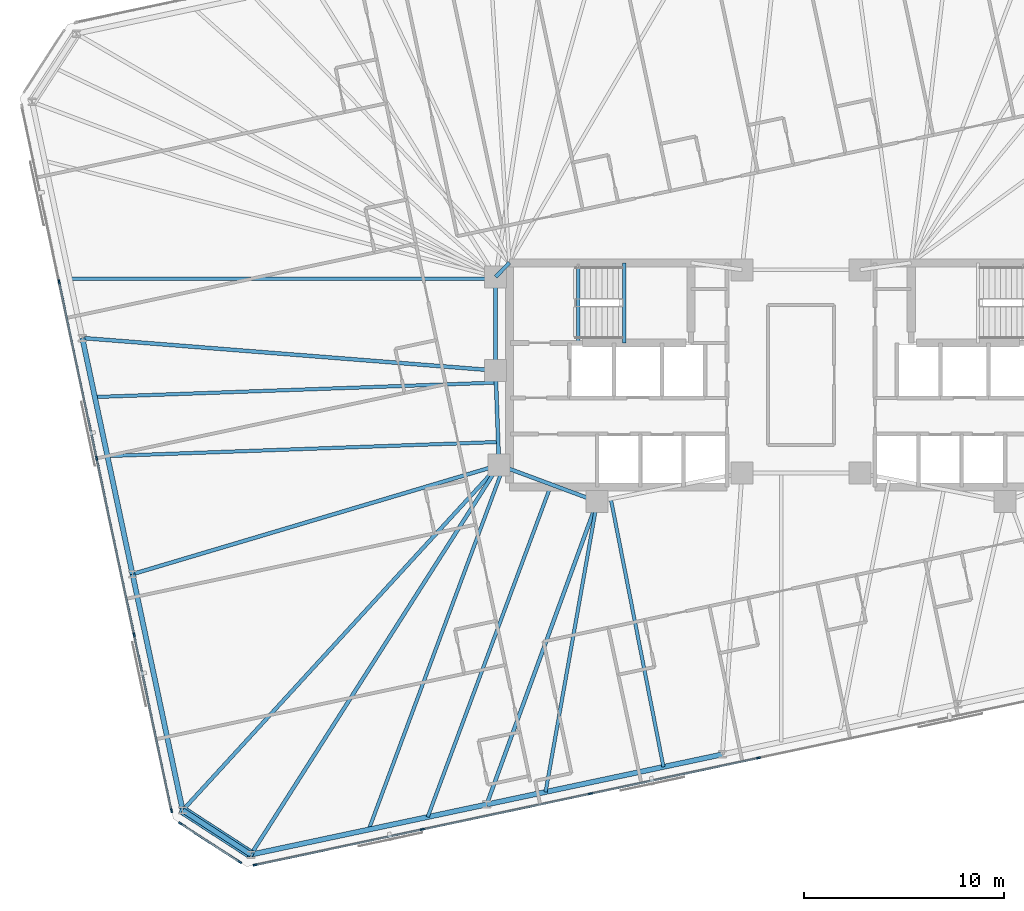
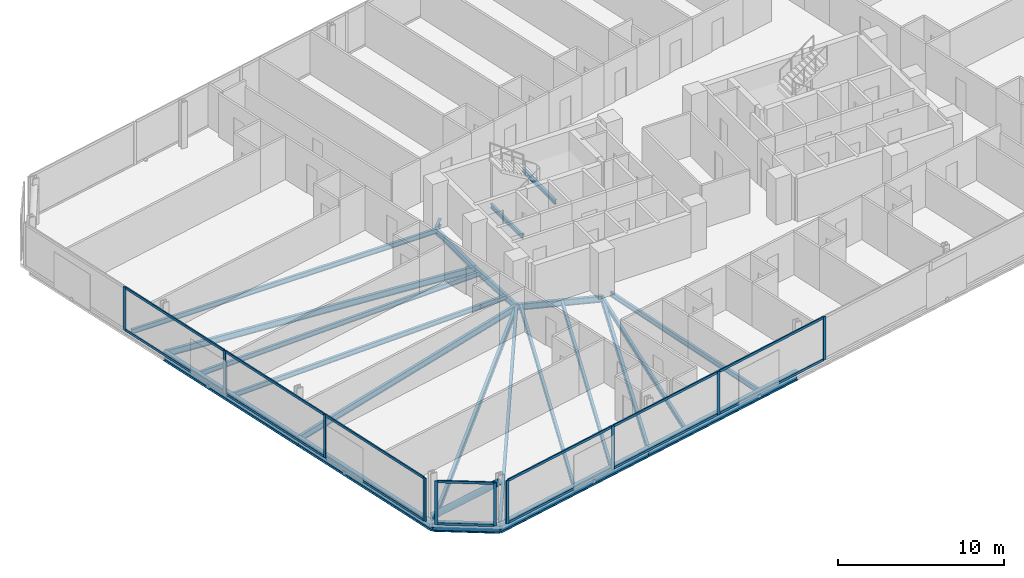
# One storey, part 6 of 20: 25 members, 23 beams, 3 elements without a shape of their own.
"""IFC4 building model written with IfcOpenShell, lengths in metres."""

from ifc_helpers import new_model, si_unit, direction, frame, origin, origin_2d, place, context, subcontext, project, spatial, rectangle, hollow_circle, i_section, extrude, material, material_profile, profile_set, type_object, element, aggregate, save


model = new_model("IFC4")

# Units and contexts
model_context = context("Model", 3, precision=1e-05, world=origin(), true_north=direction((0.0, 1.0)))
body_context = subcontext(model_context, "Body", "Model", "MODEL_VIEW")
ifc_project = project(units=[si_unit("LENGTHUNIT", "METRE"), si_unit("AREAUNIT", "SQUARE_METRE"), si_unit("VOLUMEUNIT", "CUBIC_METRE"), si_unit("PLANEANGLEUNIT", "RADIAN"), si_unit("MASSUNIT", "GRAM", prefix="KILO")], contexts=[model_context])

# Site, building, storey
site_placement = place(None, origin())
site = spatial("IfcSite", under=ifc_project, at=site_placement, CompositionType="ELEMENT")
building_placement = place(site_placement, origin())
building = spatial("IfcBuilding", under=site, at=building_placement, Name="Menara Jurai Vektor", CompositionType="ELEMENT")
storey_placement = place(building_placement, frame((0.0, 0.0, 185.39990234375)))
storey = spatial("IfcBuildingStorey", under=building, at=storey_placement, Name="L48", CompositionType="ELEMENT", Elevation=185.39990234375)

# Curtain wall, members
ifc_material_1 = material(Name="Anodised Pale Aluminium & Low-E Double Glazing", Category="aluminium")
curtain_wall_type = type_object("IfcCurtainWallType", Name="CW-BLK3", PredefinedType="NOTDEFINED", material=ifc_material_1)
curtain_wall_1_placement = place(storey_placement, origin())
curtain_wall_1 = element("IfcCurtainWall", 1, at=curtain_wall_1_placement, inside=storey, type_object=curtain_wall_type, Name="Unitised Curtain Wall L48 F01", PredefinedType="NOTDEFINED")
ifc_material_2 = material(Name="Anodised Pale Aluminium Mullion", Category="aluminium")
ifc_material_profile_1 = material_profile(ifc_material_2, rectangle(XDim=0.0849609375, YDim=0.205078125, at=origin_2d()), Name="ALU MUL 85x205")
ifc_profile_set_1 = profile_set([ifc_material_profile_1], Name="Anodised Pale Aluminium Mullion")
member_type_1 = type_object("IfcMemberType", Name="CW-BLK3-MUL", PredefinedType="MULLION", material=ifc_profile_set_1)
member_1_placement = place(storey_placement, frame((-27.25244140625, -24.462890625, 0.0), z_axis=(0.0, 0.0, 1.0), x_axis=(-0.207911344156, 0.978147674419, 0.0)))
member_1 = element("IfcMember", 2, at=member_1_placement, type_object=member_type_1, Name="CW-03 mullion 1", PredefinedType="MULLION", context=body_context, shape_type="SweptSolid", body=[
    extrude(rectangle(XDim=0.0849609375, YDim=0.205078125, at=origin_2d()), origin(), (0.0, 0.0, 1.0), 3.175048828125),
])
member_2_placement = place(storey_placement, frame((-18.904296875, -22.6884765625, 0.0), z_axis=(0.0, 0.0, 1.0), x_axis=(-0.207911344156, 0.978147674419, 0.0)))
member_2 = element("IfcMember", 3, at=member_2_placement, type_object=member_type_1, Name="CW-03 mullion 2", PredefinedType="MULLION", context=body_context, shape_type="SweptSolid", body=[
    extrude(rectangle(XDim=0.0849609375, YDim=0.205078125, at=origin_2d()), origin(), (0.0, 0.0, 1.0), 3.175048828125),
])
member_3_placement = place(storey_placement, frame((-10.514404296875, -20.905029296875, 0.0), z_axis=(0.0, 0.0, 1.0), x_axis=(-0.207911344156, 0.978147674419, 0.0)))
member_3 = element("IfcMember", 4, at=member_3_placement, type_object=member_type_1, Name="CW-03 mullion 3", PredefinedType="MULLION", context=body_context, shape_type="SweptSolid", body=[
    extrude(rectangle(XDim=0.0849609375, YDim=0.205078125, at=origin_2d()), origin(), (0.0, 0.0, 1.0), 3.175048828125),
])
member_4_placement = place(storey_placement, frame((-2.124755859375, -19.121826171875, 0.0), z_axis=(0.0, 0.0, 1.0), x_axis=(-0.207911344156, 0.978147674419, 0.0)))
member_4 = element("IfcMember", 5, at=member_4_placement, type_object=member_type_1, Name="CW-03 mullion 4", PredefinedType="MULLION", context=body_context, shape_type="SweptSolid", body=[
    extrude(rectangle(XDim=0.0849609375, YDim=0.205078125, at=origin_2d()), origin(), (0.0, 0.0, 1.0), 3.175048828125),
])

curtain_wall_2_placement = place(storey_placement, origin())
curtain_wall_2 = element("IfcCurtainWall", 6, at=curtain_wall_2_placement, inside=storey, type_object=curtain_wall_type, Name="Unitised Curtain Wall L48 F07", PredefinedType="NOTDEFINED")
member_5_placement = place(storey_placement, frame((-37.041259765625, 4.648193359375, 0.0), z_axis=(0.0, 0.0, 1.0), x_axis=(0.978147883949, 0.20791035839, 0.0)))
member_5 = element("IfcMember", 7, at=member_5_placement, type_object=member_type_1, Name="CW-03 mullion 2", PredefinedType="MULLION", context=body_context, shape_type="SweptSolid", body=[
    extrude(rectangle(XDim=0.0849609375, YDim=0.205078125, at=origin_2d()), origin(), (0.0, 0.0, 1.0), 3.175048828125),
])
member_6_placement = place(storey_placement, frame((-35.16796875, -4.1650390625, 0.0), z_axis=(0.0, 0.0, 1.0), x_axis=(0.978147883949, 0.20791035839, 0.0)))
member_6 = element("IfcMember", 8, at=member_6_placement, type_object=member_type_1, Name="CW-03 mullion 3", PredefinedType="MULLION", context=body_context, shape_type="SweptSolid", body=[
    extrude(rectangle(XDim=0.0849609375, YDim=0.205078125, at=origin_2d()), origin(), (0.0, 0.0, 1.0), 3.175048828125),
])
member_7_placement = place(storey_placement, frame((-33.294677734375, -12.978271484375, 0.0), z_axis=(0.0, 0.0, 1.0), x_axis=(0.978147883949, 0.20791035839, 0.0)))
member_7 = element("IfcMember", 9, at=member_7_placement, type_object=member_type_1, Name="CW-03 mullion 4", PredefinedType="MULLION", context=body_context, shape_type="SweptSolid", body=[
    extrude(rectangle(XDim=0.0849609375, YDim=0.205078125, at=origin_2d()), origin(), (0.0, 0.0, 1.0), 3.175048828125),
])
member_8_placement = place(storey_placement, frame((-31.43017578125, -21.749755859375, 0.0), z_axis=(0.0, 0.0, 1.0), x_axis=(0.978147883949, 0.20791035839, 0.0)))
member_8 = element("IfcMember", 10, at=member_8_placement, type_object=member_type_1, Name="CW-03 mullion 5", PredefinedType="MULLION", context=body_context, shape_type="SweptSolid", body=[
    extrude(rectangle(XDim=0.0849609375, YDim=0.205078125, at=origin_2d()), origin(), (0.0, 0.0, 1.0), 3.175048828125),
])

curtain_wall_3_placement = place(storey_placement, origin())
curtain_wall_3 = element("IfcCurtainWall", 11, at=curtain_wall_3_placement, inside=storey, type_object=curtain_wall_type, Name="Unitised Curtain Wall L48 F08", PredefinedType="NOTDEFINED")
member_9_placement = place(storey_placement, frame((-30.988037109375, -22.39306640625, 0.0), z_axis=(0.0, 0.0, 1.0), x_axis=(0.544617794346, 0.838684361415, 0.0)))
member_9 = element("IfcMember", 12, at=member_9_placement, type_object=member_type_1, Name="CW-03 mullion 1", PredefinedType="MULLION", context=body_context, shape_type="SweptSolid", body=[
    extrude(rectangle(XDim=0.0849609375, YDim=0.205078125, at=origin_2d()), origin(), (0.0, 0.0, 1.0), 3.175048828125),
])
member_10_placement = place(storey_placement, frame((-28.02001953125, -24.320556640625, 0.0), z_axis=(0.0, 0.0, 1.0), x_axis=(0.544617794346, 0.838684361415, 0.0)))
member_10 = element("IfcMember", 13, at=member_10_placement, type_object=member_type_1, Name="CW-03 mullion 2", PredefinedType="MULLION", context=body_context, shape_type="SweptSolid", body=[
    extrude(rectangle(XDim=0.0849609375, YDim=0.205078125, at=origin_2d()), origin(), (0.0, 0.0, 1.0), 3.175048828125),
])

# Member
ifc_material_3 = material(Name="Anodised Pale Aluminium Transom", Category="aluminium")
ifc_material_profile_2 = material_profile(ifc_material_3, rectangle(XDim=0.0849609375, YDim=0.175048828125, at=origin_2d()), Name="ALU TRN 85x175")
ifc_profile_set_2 = profile_set([ifc_material_profile_2], Name="Anodised Pale Aluminium Transom")
member_type_2 = type_object("IfcMemberType", Name="CW-BLK3-TRN", PredefinedType="USERDEFINED", material=ifc_profile_set_2)
member_11_placement = place(storey_placement, frame((-27.210693359375, -24.4541015625, 0.04248046875), z_axis=(0.978145704369, 0.207920612313, 0.0), x_axis=(-0.207920612313, 0.978145704369, 0.0)))
member_11 = element("IfcMember", 14, at=member_11_placement, type_object=member_type_2, Name="CW-03 transom 1.1", ObjectType="TRANSOM", PredefinedType="USERDEFINED", context=body_context, shape_type="SweptSolid", body=[
    extrude(rectangle(XDim=0.0849609375, YDim=0.175048828125, at=origin_2d()), origin(), (0.0, 0.0, 1.0), 8.449462890625),
])

member_12_placement = place(storey_placement, frame((-27.210693359375, -24.4541015625, 3.132568359375), z_axis=(0.978145704369, 0.207920612313, 0.0), x_axis=(-0.207920612313, 0.978145704369, 0.0)))
member_12 = element("IfcMember", 15, at=member_12_placement, type_object=member_type_2, Name="CW-03 transom 1.2", ObjectType="TRANSOM", PredefinedType="USERDEFINED", context=body_context, shape_type="SweptSolid", body=[
    extrude(rectangle(XDim=0.0849609375, YDim=0.175048828125, at=origin_2d()), origin(), (0.0, 0.0, 1.0), 8.449462890625),
])

member_13_placement = place(storey_placement, frame((-18.862548828125, -22.6796875, 0.04248046875), z_axis=(0.978146500933, 0.207916864907, 0.0), x_axis=(-0.207916864907, 0.978146500933, 0.0)))
member_13 = element("IfcMember", 16, at=member_13_placement, type_object=member_type_2, Name="CW-03 transom 2.1", ObjectType="TRANSOM", PredefinedType="USERDEFINED", context=body_context, shape_type="SweptSolid", body=[
    extrude(rectangle(XDim=0.0849609375, YDim=0.175048828125, at=origin_2d()), origin(), (0.0, 0.0, 1.0), 8.491943359375),
])

member_14_placement = place(storey_placement, frame((-18.862548828125, -22.6796875, 3.132568359375), z_axis=(0.978146500933, 0.207916864907, 0.0), x_axis=(-0.207916864907, 0.978146500933, 0.0)))
member_14 = element("IfcMember", 17, at=member_14_placement, type_object=member_type_2, Name="CW-03 transom 2.2", ObjectType="TRANSOM", PredefinedType="USERDEFINED", context=body_context, shape_type="SweptSolid", body=[
    extrude(rectangle(XDim=0.0849609375, YDim=0.175048828125, at=origin_2d()), origin(), (0.0, 0.0, 1.0), 8.491943359375),
])

member_15_placement = place(storey_placement, frame((-10.472900390625, -20.896240234375, 0.04248046875), z_axis=(0.978147743708, 0.207911018178, 0.0), x_axis=(-0.207911018178, 0.978147743708, 0.0)))
member_15 = element("IfcMember", 18, at=member_15_placement, type_object=member_type_2, Name="CW-03 transom 3.1", ObjectType="TRANSOM", PredefinedType="USERDEFINED", context=body_context, shape_type="SweptSolid", body=[
    extrude(rectangle(XDim=0.0849609375, YDim=0.175048828125, at=origin_2d()), origin(), (0.0, 0.0, 1.0), 8.4921875),
])

member_16_placement = place(storey_placement, frame((-10.472900390625, -20.896240234375, 3.132568359375), z_axis=(0.978147743708, 0.207911018178, 0.0), x_axis=(-0.207911018178, 0.978147743708, 0.0)))
member_16 = element("IfcMember", 19, at=member_16_placement, type_object=member_type_2, Name="CW-03 transom 3.2", ObjectType="TRANSOM", PredefinedType="USERDEFINED", context=body_context, shape_type="SweptSolid", body=[
    extrude(rectangle(XDim=0.0849609375, YDim=0.175048828125, at=origin_2d()), origin(), (0.0, 0.0, 1.0), 8.4921875),
])

aggregate(curtain_wall_1, [member_1, member_2, member_3, member_4, member_11, member_12, member_13, member_14, member_15, member_16])

member_17_placement = place(storey_placement, frame((-37.032470703125, 4.6064453125, 0.04248046875), z_axis=(0.207922224243, -0.978145361726, 0.0), x_axis=(0.978145361726, 0.207922224243, 0.0)))
member_17 = element("IfcMember", 20, at=member_17_placement, type_object=member_type_2, Name="CW-03 transom 2.1", ObjectType="TRANSOM", PredefinedType="USERDEFINED", context=body_context, shape_type="SweptSolid", body=[
    extrude(rectangle(XDim=0.0849609375, YDim=0.175048828125, at=origin_2d()), origin(), (0.0, 0.0, 1.0), 8.925048828125),
])

member_18_placement = place(storey_placement, frame((-37.032470703125, 4.6064453125, 3.132568359375), z_axis=(0.207922224243, -0.978145361726, 0.0), x_axis=(0.978145361726, 0.207922224243, 0.0)))
member_18 = element("IfcMember", 21, at=member_18_placement, type_object=member_type_2, Name="CW-03 transom 2.2", ObjectType="TRANSOM", PredefinedType="USERDEFINED", context=body_context, shape_type="SweptSolid", body=[
    extrude(rectangle(XDim=0.0849609375, YDim=0.175048828125, at=origin_2d()), origin(), (0.0, 0.0, 1.0), 8.925048828125),
])

member_19_placement = place(storey_placement, frame((-35.1591796875, -4.20654296875, 0.04248046875), z_axis=(0.207922224243, -0.978145361726, 0.0), x_axis=(0.978145361726, 0.207922224243, 0.0)))
member_19 = element("IfcMember", 22, at=member_19_placement, type_object=member_type_2, Name="CW-03 transom 3.1", ObjectType="TRANSOM", PredefinedType="USERDEFINED", context=body_context, shape_type="SweptSolid", body=[
    extrude(rectangle(XDim=0.0849609375, YDim=0.175048828125, at=origin_2d()), origin(), (0.0, 0.0, 1.0), 8.925048828125),
])

member_20_placement = place(storey_placement, frame((-35.1591796875, -4.20654296875, 3.132568359375), z_axis=(0.207922224243, -0.978145361726, 0.0), x_axis=(0.978145361726, 0.207922224243, 0.0)))
member_20 = element("IfcMember", 23, at=member_20_placement, type_object=member_type_2, Name="CW-03 transom 3.2", ObjectType="TRANSOM", PredefinedType="USERDEFINED", context=body_context, shape_type="SweptSolid", body=[
    extrude(rectangle(XDim=0.0849609375, YDim=0.175048828125, at=origin_2d()), origin(), (0.0, 0.0, 1.0), 8.925048828125),
])

member_21_placement = place(storey_placement, frame((-33.285888671875, -13.019775390625, 0.04248046875), z_axis=(0.207925814542, -0.978144598537, 0.0), x_axis=(0.978144598537, 0.207925814542, 0.0)))
member_21 = element("IfcMember", 24, at=member_21_placement, type_object=member_type_2, Name="CW-03 transom 4.1", ObjectType="TRANSOM", PredefinedType="USERDEFINED", context=body_context, shape_type="SweptSolid", body=[
    extrude(rectangle(XDim=0.0849609375, YDim=0.175048828125, at=origin_2d()), origin(), (0.0, 0.0, 1.0), 8.882568359375),
])

member_22_placement = place(storey_placement, frame((-33.285888671875, -13.019775390625, 3.132568359375), z_axis=(0.207925814542, -0.978144598537, 0.0), x_axis=(0.978144598537, 0.207925814542, 0.0)))
member_22 = element("IfcMember", 25, at=member_22_placement, type_object=member_type_2, Name="CW-03 transom 4.2", ObjectType="TRANSOM", PredefinedType="USERDEFINED", context=body_context, shape_type="SweptSolid", body=[
    extrude(rectangle(XDim=0.0849609375, YDim=0.175048828125, at=origin_2d()), origin(), (0.0, 0.0, 1.0), 8.882568359375),
])

aggregate(curtain_wall_2, [member_5, member_6, member_7, member_8, member_17, member_18, member_19, member_20, member_21, member_22])

member_23_placement = place(storey_placement, frame((-30.952392578125, -22.416259765625, 0.04248046875), z_axis=(0.83867770631, -0.54462804274, 0.0), x_axis=(0.54462804274, 0.83867770631, 0.0)))
member_23 = element("IfcMember", 26, at=member_23_placement, type_object=member_type_2, Name="CW-03 transom 1.1", ObjectType="TRANSOM", PredefinedType="USERDEFINED", context=body_context, shape_type="SweptSolid", body=[
    extrude(rectangle(XDim=0.0849609375, YDim=0.175048828125, at=origin_2d()), origin(), (0.0, 0.0, 1.0), 3.453857421875),
])

member_24_placement = place(storey_placement, frame((-30.952392578125, -22.416259765625, 3.132568359375), z_axis=(0.83867770631, -0.54462804274, 0.0), x_axis=(0.54462804274, 0.83867770631, 0.0)))
member_24 = element("IfcMember", 27, at=member_24_placement, type_object=member_type_2, Name="CW-03 transom 1.2", ObjectType="TRANSOM", PredefinedType="USERDEFINED", context=body_context, shape_type="SweptSolid", body=[
    extrude(rectangle(XDim=0.0849609375, YDim=0.175048828125, at=origin_2d()), origin(), (0.0, 0.0, 1.0), 3.453857421875),
])

aggregate(curtain_wall_3, [member_9, member_10, member_23, member_24])

# Beams
ifc_material_4 = material(Name="Steel S355", Category="steel")
ifc_material_profile_3 = material_profile(ifc_material_4, i_section(OverallWidth=0.19091796875, OverallDepth=0.4599609375, WebThickness=0.010009765625, FlangeThickness=0.01611328125, FilletRadius=0.010009765625, at=origin_2d()), Name="UKB 457x191x82")
ifc_profile_set_3 = profile_set([ifc_material_profile_3], Name="Steel S355")
beam_type_1 = type_object("IfcBeamType", Name="STR-BM-457", PredefinedType="BEAM", material=ifc_profile_set_3)
beam_1_placement = place(storey_placement, frame((-15.25, 4.89990234375, -0.454833984375), z_axis=(0.701871936926, 0.712303154672, 0.0), x_axis=(-0.712303154672, 0.701871936926, 0.0)))
element("IfcBeam", 28, at=beam_1_placement, inside=storey, type_object=beam_type_1, Name="Core Ring Header Girder L48-CHW-N1", PredefinedType="BEAM", context=body_context, shape_type="SweptSolid", body=[
    extrude(i_section(OverallWidth=0.19091796875, OverallDepth=0.4599609375, WebThickness=0.010009765625, FlangeThickness=0.01611328125, FilletRadius=0.010009765625, at=origin_2d()), origin(), (0.0, 0.0, 1.0), 0.98291015625),
])
beam_2_placement = place(storey_placement, frame((-15.25, 0.219970703125, -0.454833984375), z_axis=(0.0, 1.0, 0.0), x_axis=(-1.0, 0.0, 0.0)))
element("IfcBeam", 29, at=beam_2_placement, inside=storey, type_object=beam_type_1, Name="Core Ring Header Girder L48-CHW-W1", PredefinedType="BEAM", context=body_context, shape_type="SweptSolid", body=[
    extrude(i_section(OverallWidth=0.19091796875, OverallDepth=0.4599609375, WebThickness=0.010009765625, FlangeThickness=0.01611328125, FilletRadius=0.010009765625, at=origin_2d()), origin(), (0.0, 0.0, 1.0), 4.679931640625),
])
beam_3_placement = place(storey_placement, frame((-15.080078125, -4.5, -0.454833984375), z_axis=(-0.035977314146, 0.999352606874, 0.0), x_axis=(-0.999352606874, -0.035977314146, 0.0)))
element("IfcBeam", 30, at=beam_3_placement, inside=storey, type_object=beam_type_1, Name="Core Ring Header Girder L48-CHW-W2", PredefinedType="BEAM", context=body_context, shape_type="SweptSolid", body=[
    extrude(i_section(OverallWidth=0.19091796875, OverallDepth=0.4599609375, WebThickness=0.010009765625, FlangeThickness=0.01611328125, FilletRadius=0.010009765625, at=origin_2d()), origin(), (0.0, 0.0, 1.0), 4.72314453125),
])
beam_4_placement = place(storey_placement, frame((-15.080078125, -4.5, -0.454833984375), z_axis=(0.937424400887, -0.348188874925, 0.0), x_axis=(0.348188874925, 0.937424400887, 0.0)))
element("IfcBeam", 31, at=beam_4_placement, inside=storey, type_object=beam_type_1, Name="Core Ring Header Girder L48-CHW-S1", PredefinedType="BEAM", context=body_context, shape_type="SweptSolid", body=[
    extrude(i_section(OverallWidth=0.19091796875, OverallDepth=0.4599609375, WebThickness=0.010009765625, FlangeThickness=0.01611328125, FilletRadius=0.010009765625, at=origin_2d()), origin(), (0.0, 0.0, 1.0), 5.227294921875),
])
beam_5_placement = place(storey_placement, frame((-27.46484375, -23.94580078125, -0.454833984375), z_axis=(0.537189280991, 0.843461721946, 0.0), x_axis=(-0.843461721946, 0.537189280991, 0.0)))
element("IfcBeam", 32, at=beam_5_placement, inside=storey, type_object=beam_type_1, Name="Radial Floor Girder L48-S1", PredefinedType="BEAM", context=body_context, shape_type="SweptSolid", body=[
    extrude(i_section(OverallWidth=0.19091796875, OverallDepth=0.4599609375, WebThickness=0.010009765625, FlangeThickness=0.01611328125, FilletRadius=0.010009765625, at=origin_2d()), origin(), (0.0, 0.0, 1.0), 23.0546875),
])
beam_6_placement = place(storey_placement, frame((-15.696533203125, -21.4443359375, -0.454833984375), z_axis=(0.342668294367, 0.939456459893, 0.0), x_axis=(-0.939456459893, 0.342668294367, 0.0)))
element("IfcBeam", 33, at=beam_6_placement, inside=storey, type_object=beam_type_1, Name="Radial Floor Girder L48-S2", PredefinedType="BEAM", context=body_context, shape_type="SweptSolid", body=[
    extrude(i_section(OverallWidth=0.19091796875, OverallDepth=0.4599609375, WebThickness=0.010009765625, FlangeThickness=0.01611328125, FilletRadius=0.010009765625, at=origin_2d()), origin(), (0.0, 0.0, 1.0), 16.098876953125),
])
beam_7_placement = place(storey_placement, frame((-35.8828125, 1.843505859375, -0.454833984375), z_axis=(0.996918476483, -0.078444574364, 0.0), x_axis=(0.078444574364, 0.996918476483, 0.0)))
element("IfcBeam", 34, at=beam_7_placement, inside=storey, type_object=beam_type_1, Name="Radial Floor Girder L48-W2", PredefinedType="BEAM", context=body_context, shape_type="SweptSolid", body=[
    extrude(i_section(OverallWidth=0.19091796875, OverallDepth=0.4599609375, WebThickness=0.010009765625, FlangeThickness=0.01611328125, FilletRadius=0.010009765625, at=origin_2d()), origin(), (0.0, 0.0, 1.0), 20.696533203125),
])
beam_8_placement = place(storey_placement, frame((-33.377197265625, -9.94482421875, -0.454833984375), z_axis=(0.958462775407, 0.285217650505, 0.0), x_axis=(-0.285217650505, 0.958462775407, 0.0)))
element("IfcBeam", 35, at=beam_8_placement, inside=storey, type_object=beam_type_1, Name="Radial Floor Girder L48-W3", PredefinedType="BEAM", context=body_context, shape_type="SweptSolid", body=[
    extrude(i_section(OverallWidth=0.19091796875, OverallDepth=0.4599609375, WebThickness=0.010009765625, FlangeThickness=0.01611328125, FilletRadius=0.010009765625, at=origin_2d()), origin(), (0.0, 0.0, 1.0), 19.090087890625),
])
beam_9_placement = place(storey_placement, frame((-30.871337890625, -21.7333984375, -0.454833984375), z_axis=(0.675584615662, 0.737282460852, 0.0), x_axis=(-0.737282460852, 0.675584615662, 0.0)))
element("IfcBeam", 36, at=beam_9_placement, inside=storey, type_object=beam_type_1, Name="Radial Floor Girder L48-W4", PredefinedType="BEAM", context=body_context, shape_type="SweptSolid", body=[
    extrude(i_section(OverallWidth=0.19091796875, OverallDepth=0.4599609375, WebThickness=0.010009765625, FlangeThickness=0.01611328125, FilletRadius=0.010009765625, at=origin_2d()), origin(), (0.0, 0.0, 1.0), 23.374267578125),
])

# Member
ifc_material_5 = material(Name="Steel S460", Category="steel")
ifc_material_profile_4 = material_profile(ifc_material_5, hollow_circle(Radius=0.228515625, WallThickness=0.01611328125, at=origin_2d()), Name="CHS 457x16")
ifc_profile_set_4 = profile_set([ifc_material_profile_4], Name="Steel S460")
member_type_3 = type_object("IfcMemberType", Name="STR-BR-457", PredefinedType="BRACE", material=ifc_profile_set_4)
member_25_placement = place(storey_placement, frame((-30.871337890625, -21.7333984375, 0.150146484375), z_axis=(0.700402825662, -0.454887866849, 0.5500117366), x_axis=(0.544673525608, 0.838648168484, 0.0)))
element("IfcMember", 37, at=member_25_placement, inside=storey, type_object=member_type_3, Name="Exoskeleton Corner Brace L48-4", PredefinedType="BRACE", context=body_context, shape_type="SweptSolid", body=[
    extrude(hollow_circle(Radius=0.228515625, WallThickness=0.01611328125, at=origin_2d()), origin(), (0.0, 0.0, 1.0), 4.863525390625),
])

# Beams
ifc_material_profile_5 = material_profile(ifc_material_4, i_section(OverallWidth=0.172119140625, OverallDepth=0.35498046875, WebThickness=0.007080078125, FlangeThickness=0.011962890625, FilletRadius=0.010009765625, at=origin_2d()), Name="UKB 356x171x51")
ifc_profile_set_5 = profile_set([ifc_material_profile_5], Name="Steel S355")
beam_type_2 = type_object("IfcBeamType", Name="STR-JS-356", PredefinedType="JOIST", material=ifc_profile_set_5)
beam_10_placement = place(storey_placement, frame((-21.580810546875, -22.695068359375, -0.40234375), z_axis=(0.348190019635, 0.937423975705, 0.0), x_axis=(-0.937423975705, 0.348190019635, 0.0)))
element("IfcBeam", 38, at=beam_10_placement, inside=storey, type_object=beam_type_2, Name="Radial Secondary Floor Joist L48-JS01", PredefinedType="JOIST", context=body_context, shape_type="SweptSolid", body=[
    extrude(i_section(OverallWidth=0.172119140625, OverallDepth=0.35498046875, WebThickness=0.007080078125, FlangeThickness=0.011962890625, FilletRadius=0.010009765625, at=origin_2d()), origin(), (0.0, 0.0, 1.0), 19.320068359375),
])
beam_11_placement = place(storey_placement, frame((-18.638671875, -22.069580078125, -0.40234375), z_axis=(0.348193798412, 0.937422572135, 0.0), x_axis=(-0.937422572135, 0.348193798412, 0.0)))
element("IfcBeam", 39, at=beam_11_placement, inside=storey, type_object=beam_type_2, Name="Radial Secondary Floor Joist L48-JS02", PredefinedType="JOIST", context=body_context, shape_type="SweptSolid", body=[
    extrude(i_section(OverallWidth=0.172119140625, OverallDepth=0.35498046875, WebThickness=0.007080078125, FlangeThickness=0.011962890625, FilletRadius=0.010009765625, at=origin_2d()), origin(), (0.0, 0.0, 1.0), 17.709228515625),
])
beam_12_placement = place(storey_placement, frame((-12.75439453125, -20.819091796875, -0.40234375), z_axis=(0.174826548521, 0.984599247375, 0.0), x_axis=(-0.984599247375, 0.174826548521, 0.0)))
element("IfcBeam", 40, at=beam_12_placement, inside=storey, type_object=beam_type_2, Name="Radial Secondary Floor Joist L48-JS03", PredefinedType="JOIST", context=body_context, shape_type="SweptSolid", body=[
    extrude(i_section(OverallWidth=0.172119140625, OverallDepth=0.35498046875, WebThickness=0.007080078125, FlangeThickness=0.011962890625, FilletRadius=0.010009765625, at=origin_2d()), origin(), (0.0, 0.0, 1.0), 14.725830078125),
])
beam_13_placement = place(storey_placement, frame((-6.870361328125, -19.568359375, -0.40234375), z_axis=(-0.19273083746, 0.981251662058, 0.0), x_axis=(-0.981251662058, -0.19273083746, 0.0)))
element("IfcBeam", 41, at=beam_13_placement, inside=storey, type_object=beam_type_2, Name="Radial Secondary Floor Joist L48-JS04", PredefinedType="JOIST", context=body_context, shape_type="SweptSolid", body=[
    extrude(i_section(OverallWidth=0.172119140625, OverallDepth=0.35498046875, WebThickness=0.007080078125, FlangeThickness=0.011962890625, FilletRadius=0.010009765625, at=origin_2d()), origin(), (0.0, 0.0, 1.0), 13.6376953125),
])
beam_14_placement = place(storey_placement, frame((-36.50927734375, 4.790771484375, -0.40234375), z_axis=(1.0, 0.0, 0.0), x_axis=(0.0, 1.0, 0.0)))
element("IfcBeam", 42, at=beam_14_placement, inside=storey, type_object=beam_type_2, Name="Radial Secondary Floor Joist L48-JS30", PredefinedType="JOIST", context=body_context, shape_type="SweptSolid", body=[
    extrude(i_section(OverallWidth=0.172119140625, OverallDepth=0.35498046875, WebThickness=0.007080078125, FlangeThickness=0.011962890625, FilletRadius=0.010009765625, at=origin_2d()), origin(), (0.0, 0.0, 1.0), 21.25927734375),
])
beam_15_placement = place(storey_placement, frame((-35.25634765625, -1.103515625, -0.40234375), z_axis=(0.999351866858, 0.035997863919, 0.0), x_axis=(-0.035997863919, 0.999351866858, 0.0)))
element("IfcBeam", 43, at=beam_15_placement, inside=storey, type_object=beam_type_2, Name="Radial Secondary Floor Joist L48-JS31", PredefinedType="JOIST", context=body_context, shape_type="SweptSolid", body=[
    extrude(i_section(OverallWidth=0.172119140625, OverallDepth=0.35498046875, WebThickness=0.007080078125, FlangeThickness=0.011962890625, FilletRadius=0.010009765625, at=origin_2d()), origin(), (0.0, 0.0, 1.0), 20.041015625),
])
beam_16_placement = place(storey_placement, frame((-34.6298828125, -4.05078125, -0.40234375), z_axis=(0.999352006705, 0.035993981369, 0.0), x_axis=(-0.035993981369, 0.999352006705, 0.0)))
element("IfcBeam", 44, at=beam_16_placement, inside=storey, type_object=beam_type_2, Name="Radial Secondary Floor Joist L48-JS32", PredefinedType="JOIST", context=body_context, shape_type="SweptSolid", body=[
    extrude(i_section(OverallWidth=0.172119140625, OverallDepth=0.35498046875, WebThickness=0.007080078125, FlangeThickness=0.011962890625, FilletRadius=0.010009765625, at=origin_2d()), origin(), (0.0, 0.0, 1.0), 19.52099609375),
])
ifc_material_profile_6 = material_profile(ifc_material_4, i_section(OverallWidth=0.1650390625, OverallDepth=0.302978515625, WebThickness=0.006103515625, FlangeThickness=0.010009765625, FilletRadius=0.009033203125, at=origin_2d()), Name="UKB 305x165x40")
ifc_profile_set_6 = profile_set([ifc_material_profile_6], Name="Steel S355")
beam_type_3 = type_object("IfcBeamType", Name="STR-LN-305", PredefinedType="LINTEL", material=ifc_profile_set_6)
beam_17_placement = place(storey_placement, frame((-11.1201171875, 1.60009765625, -0.37646484375), z_axis=(0.0, 1.0, 0.0), x_axis=(-1.0, 0.0, 0.0)))
element("IfcBeam", 45, at=beam_17_placement, inside=storey, type_object=beam_type_3, Name="Stair Well Floor Trimmer ST1 L48", PredefinedType="LINTEL", context=body_context, shape_type="SweptSolid", body=[
    extrude(i_section(OverallWidth=0.1650390625, OverallDepth=0.302978515625, WebThickness=0.006103515625, FlangeThickness=0.010009765625, FilletRadius=0.009033203125, at=origin_2d()), origin(), (0.0, 0.0, 1.0), 3.81982421875),
])
beam_18_placement = place(storey_placement, frame((-8.830078125, 1.60009765625, 1.3486328125), z_axis=(0.0, 1.0, 0.0), x_axis=(-1.0, 0.0, 0.0)))
element("IfcBeam", 46, at=beam_18_placement, inside=storey, type_object=beam_type_3, Name="Stair Half-Landing Nosing Trimmer ST1-1 L48", PredefinedType="LINTEL", context=body_context, shape_type="SweptSolid", body=[
    extrude(i_section(OverallWidth=0.1650390625, OverallDepth=0.302978515625, WebThickness=0.006103515625, FlangeThickness=0.010009765625, FilletRadius=0.009033203125, at=origin_2d()), origin(), (0.0, 0.0, 1.0), 4.0),
])
ifc_material_profile_7 = material_profile(ifc_material_5, i_section(OverallWidth=0.256103515625, OverallDepth=0.693115234375, WebThickness=0.013916015625, FlangeThickness=0.02392578125, FilletRadius=0.014892578125, at=origin_2d()), Name="UKB 686x254x170")
ifc_profile_set_7 = profile_set([ifc_material_profile_7], Name="Steel S460")
beam_type_4 = type_object("IfcBeamType", Name="STR-SP-686", PredefinedType="SPANDREL", material=ifc_profile_set_7)
beam_19_placement = place(storey_placement, frame((-27.46484375, -23.94580078125, -0.5712890625), z_axis=(0.978147039247, 0.207914332389, 0.0), x_axis=(-0.207914332389, 0.978147039247, 0.0)))
element("IfcBeam", 47, at=beam_19_placement, inside=storey, type_object=beam_type_4, Name="Exoskeleton Spandrel Beam L48-01", PredefinedType="SPANDREL", context=body_context, shape_type="SweptSolid", body=[
    extrude(i_section(OverallWidth=0.256103515625, OverallDepth=0.693115234375, WebThickness=0.013916015625, FlangeThickness=0.02392578125, FilletRadius=0.014892578125, at=origin_2d()), origin(), (0.0, 0.0, 1.0), 12.03125),
])
beam_20_placement = place(storey_placement, frame((-15.696533203125, -21.4443359375, -0.5712890625), z_axis=(0.97814616202, 0.207918459318, 0.0), x_axis=(-0.207918459318, 0.97814616202, 0.0)))
element("IfcBeam", 48, at=beam_20_placement, inside=storey, type_object=beam_type_4, Name="Exoskeleton Spandrel Beam L48-02", PredefinedType="SPANDREL", context=body_context, shape_type="SweptSolid", body=[
    extrude(i_section(OverallWidth=0.256103515625, OverallDepth=0.693115234375, WebThickness=0.013916015625, FlangeThickness=0.02392578125, FilletRadius=0.014892578125, at=origin_2d()), origin(), (0.0, 0.0, 1.0), 12.031005859375),
])
beam_21_placement = place(storey_placement, frame((-35.8828125, 1.843505859375, -0.5712890625), z_axis=(0.207906000604, -0.978148810209, 0.0), x_axis=(0.978148810209, 0.207906000604, 0.0)))
element("IfcBeam", 49, at=beam_21_placement, inside=storey, type_object=beam_type_4, Name="Exoskeleton Spandrel Beam L48-18", PredefinedType="SPANDREL", context=body_context, shape_type="SweptSolid", body=[
    extrude(i_section(OverallWidth=0.256103515625, OverallDepth=0.693115234375, WebThickness=0.013916015625, FlangeThickness=0.02392578125, FilletRadius=0.014892578125, at=origin_2d()), origin(), (0.0, 0.0, 1.0), 12.0517578125),
])
beam_22_placement = place(storey_placement, frame((-33.377197265625, -9.94482421875, -0.5712890625), z_axis=(0.207921262698, -0.978145566119, 0.0), x_axis=(0.978145566119, 0.207921262698, 0.0)))
element("IfcBeam", 50, at=beam_22_placement, inside=storey, type_object=beam_type_4, Name="Exoskeleton Spandrel Beam L48-19", PredefinedType="SPANDREL", context=body_context, shape_type="SweptSolid", body=[
    extrude(i_section(OverallWidth=0.256103515625, OverallDepth=0.693115234375, WebThickness=0.013916015625, FlangeThickness=0.02392578125, FilletRadius=0.014892578125, at=origin_2d()), origin(), (0.0, 0.0, 1.0), 12.052001953125),
])
beam_23_placement = place(storey_placement, frame((-30.871337890625, -21.7333984375, -0.5712890625), z_axis=(0.838648168484, -0.544673525608, 0.0), x_axis=(0.544673525608, 0.838648168484, 0.0)))
element("IfcBeam", 51, at=beam_23_placement, inside=storey, type_object=beam_type_4, Name="Exoskeleton Spandrel Beam L48-20", PredefinedType="SPANDREL", context=body_context, shape_type="SweptSolid", body=[
    extrude(i_section(OverallWidth=0.256103515625, OverallDepth=0.693115234375, WebThickness=0.013916015625, FlangeThickness=0.02392578125, FilletRadius=0.014892578125, at=origin_2d()), origin(), (0.0, 0.0, 1.0), 4.061767578125),
])

save(model, "model.ifc")
